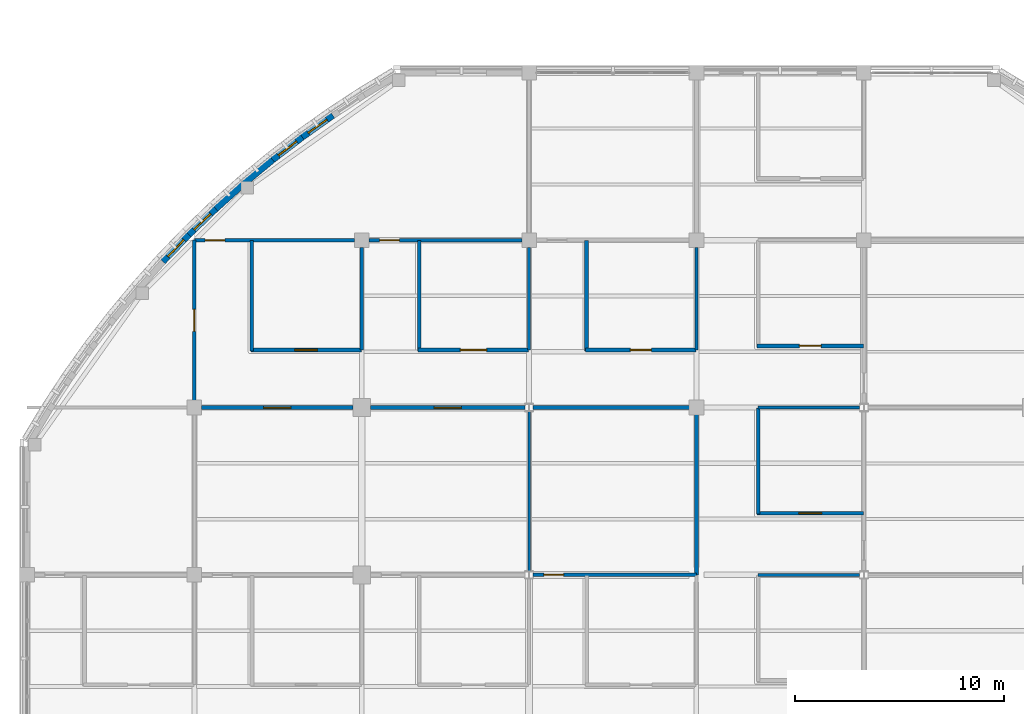
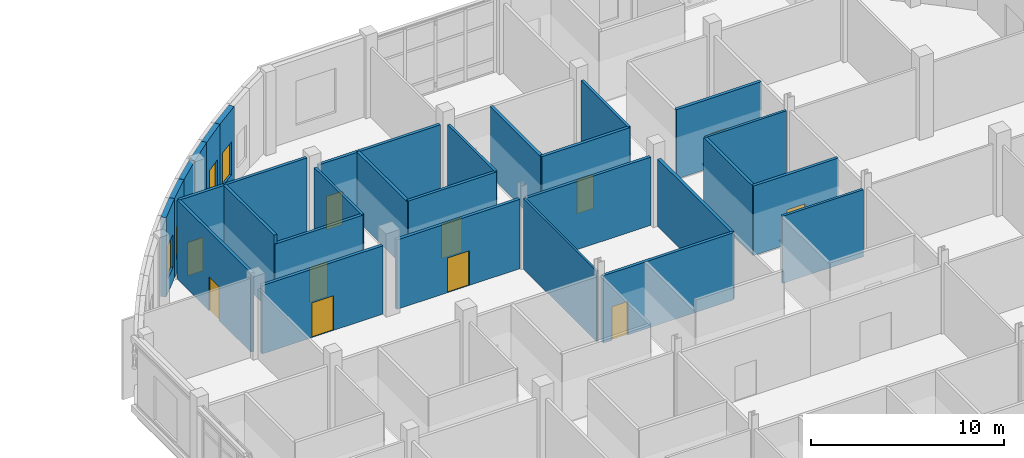
# One storey, part 72 of 105: 29 walls, 11 doors, 4 windows, 15 openings.
"""IFC4 building model written with IfcOpenShell, lengths in metres."""

from ifc_helpers import new_model, si_unit, derived_unit, direction, frame, frame_2d, origin, place, context, subcontext, project, spatial, rectangle, extrude, material, layer, layer_set, type_object, element, fill, save


model = new_model("IFC4")

# Units and contexts
model_context = context("Model", 3, precision=1e-05, world=origin(), true_north=direction((0.0, 1.0)))
body_context = subcontext(model_context, "Body", "Model", "MODEL_VIEW")
ifc_project = project(units=[si_unit("LENGTHUNIT", "METRE"), si_unit("AREAUNIT", "SQUARE_METRE"), si_unit("VOLUMEUNIT", "CUBIC_METRE"), si_unit("PLANEANGLEUNIT", "RADIAN"), si_unit("MASSUNIT", "GRAM", prefix="KILO"), derived_unit("THERMALTRANSMITTANCEUNIT", [(si_unit("MASSUNIT", "GRAM", prefix="KILO"), 1), (si_unit("TIMEUNIT", "SECOND"), -3), (si_unit("THERMODYNAMICTEMPERATUREUNIT", "KELVIN"), -1)])], contexts=[model_context])

# Site, building, storey
site_placement = place(None, origin())
site = spatial("IfcSite", under=ifc_project, at=site_placement, CompositionType="ELEMENT")
building_placement = place(site_placement, origin())
building = spatial("IfcBuilding", under=site, at=building_placement, Name="Veyamyaing Civic Hall", CompositionType="ELEMENT")
storey_placement = place(building_placement, origin())
storey = spatial("IfcBuildingStorey", under=building, at=storey_placement, Name="L00", CompositionType="ELEMENT", Elevation=0.0)

# Wall, opening, window
ifc_material_1 = material(Name="Precast concrete C40/50", Category="concrete")
ifc_layer_1 = layer(ifc_material_1, 0.304931640625, Name="Precast concrete C40/50")
ifc_layer_set_1 = layer_set([ifc_layer_1], Name="Precast concrete C40/50")
wall_type_1 = type_object("IfcWallType", Name="WT-03", PredefinedType="SOLIDWALL", material=ifc_layer_set_1)
wall_1_placement = place(storey_placement, frame((70.61962890625, 93.9638671875, 0.0), z_axis=(0.0, 0.0, 1.0), x_axis=(-0.815567185578, -0.578662393636, 0.0)))
wall_1 = element("IfcWall", 1, at=wall_1_placement, inside=storey, type_object=wall_type_1, Name="Curved corner facade wall WT-03 L00 NW.3", PredefinedType="SOLIDWALL", context=body_context, shape_type="SweptSolid", body=[
    extrude(rectangle(XDim=1.795166015625, YDim=0.304931640625, at=frame_2d((0.8974609375, 0.0))), origin(), (0.0, 0.0, 1.0), 5.034912109375),
])
opening_1_placement = place(wall_1_placement, frame((0.34765625, 0.0, 0.89990234375)))
opening_1 = element("IfcOpeningElement", 2, at=opening_1_placement, cuts=wall_1, Name="Opening W-15", PredefinedType="OPENING", context=body_context, shape_type="SweptSolid", body=[
    extrude(rectangle(XDim=1.10009765625, YDim=2.10009765625, at=frame_2d((0.550048828125, 1.050048828125))), frame((0.0, 0.162353515625, 0.0), z_axis=(0.0, -1.0, 0.0), x_axis=(1.0, 0.0, 0.0)), (0.0, 0.0, 1.0), 0.324951171875),
])
ifc_material_2 = material(Name="Low-E insulated glass", Category="glass")
window_type = type_object("IfcWindowType", Name="W-15", PartitioningType="SINGLE_PANEL", PredefinedType="WINDOW", material=ifc_material_2)
window_1_placement = place(opening_1_placement, origin())
window_1 = element("IfcWindow", 3, at=window_1_placement, inside=storey, type_object=window_type, Name="Curved ribbon window W-15 L00 NW.3", OverallHeight=2.10009765625, OverallWidth=1.10009765625, PartitioningType="SINGLE_PANEL", PredefinedType="WINDOW", context=body_context, shape_type="SweptSolid", body=[
    extrude(rectangle(XDim=1.10009765625, YDim=2.10009765625, at=frame_2d((0.550048828125, 1.050048828125))), frame((0.0, 0.030029296875, 0.0), z_axis=(0.0, -1.0, 0.0), x_axis=(1.0, 0.0, 0.0)), (0.0, 0.0, 1.0), 0.06005859375),
])
fill(opening_1, window_1)

wall_2_placement = place(storey_placement, frame((69.16015625, 92.928466796875, 0.0), z_axis=(0.0, 0.0, 1.0), x_axis=(-0.793341406114, -0.608776981616, 0.0)))
wall_2 = element("IfcWall", 4, at=wall_2_placement, inside=storey, type_object=wall_type_1, Name="Curved corner facade wall WT-03 L00 NW.4", PredefinedType="SOLIDWALL", context=body_context, shape_type="SweptSolid", body=[
    extrude(rectangle(XDim=1.794921875, YDim=0.304931640625, at=frame_2d((0.8974609375, 0.0))), origin(), (0.0, 0.0, 1.0), 5.034912109375),
])
opening_2_placement = place(wall_2_placement, frame((0.347412109375, 0.0, 0.89990234375)))
opening_2 = element("IfcOpeningElement", 5, at=opening_2_placement, cuts=wall_2, Name="Opening W-15", PredefinedType="OPENING", context=body_context, shape_type="SweptSolid", body=[
    extrude(rectangle(XDim=1.10009765625, YDim=2.10009765625, at=frame_2d((0.550048828125, 1.050048828125))), frame((0.0, 0.162353515625, 0.0), z_axis=(0.0, -1.0, 0.0), x_axis=(1.0, 0.0, 0.0)), (0.0, 0.0, 1.0), 0.324951171875),
])
window_2_placement = place(opening_2_placement, origin())
window_2 = element("IfcWindow", 6, at=window_2_placement, inside=storey, type_object=window_type, Name="Curved ribbon window W-15 L00 NW.4", OverallHeight=2.10009765625, OverallWidth=1.10009765625, PartitioningType="SINGLE_PANEL", PredefinedType="WINDOW", context=body_context, shape_type="SweptSolid", body=[
    extrude(rectangle(XDim=1.10009765625, YDim=2.10009765625, at=frame_2d((0.550048828125, 1.050048828125))), frame((0.0, 0.030029296875, 0.0), z_axis=(0.0, -1.0, 0.0), x_axis=(1.0, 0.0, 0.0)), (0.0, 0.0, 1.0), 0.06005859375),
])
fill(opening_2, window_2)

# Walls
wall_3_placement = place(storey_placement, frame((67.740478515625, 91.83935546875, 0.0), z_axis=(0.0, 0.0, 1.0), x_axis=(-0.769991012207, -0.638054732073, 0.0)))
element("IfcWall", 7, at=wall_3_placement, inside=storey, type_object=wall_type_1, Name="Curved corner facade wall WT-03 L00 NW.5", PredefinedType="SOLIDWALL", context=body_context, shape_type="SweptSolid", body=[
    extrude(rectangle(XDim=1.794921875, YDim=0.304931640625, at=frame_2d((0.8974609375, 0.0))), origin(), (0.0, 0.0, 1.0), 5.034912109375),
])
wall_4_placement = place(storey_placement, frame((66.36279296875, 90.69775390625, 0.0), z_axis=(0.0, 0.0, 1.0), x_axis=(-0.745703543965, -0.666277888361, 0.0)))
element("IfcWall", 8, at=wall_4_placement, inside=storey, type_object=wall_type_1, Name="Curved corner facade wall WT-03 L00 NW.6", PredefinedType="SOLIDWALL", context=body_context, shape_type="SweptSolid", body=[
    extrude(rectangle(XDim=1.795166015625, YDim=0.304931640625, at=frame_2d((0.8974609375, 0.0))), origin(), (0.0, 0.0, 1.0), 5.034912109375),
])

# Wall, opening, window
wall_5_placement = place(storey_placement, frame((65.028564453125, 89.505615234375, 0.0), z_axis=(0.0, 0.0, 1.0), x_axis=(-0.720242191926, -0.693722700342, 0.0)))
wall_5 = element("IfcWall", 9, at=wall_5_placement, inside=storey, type_object=wall_type_1, Name="Curved corner facade wall WT-03 L00 NW.7", PredefinedType="SOLIDWALL", context=body_context, shape_type="SweptSolid", body=[
    extrude(rectangle(XDim=1.795166015625, YDim=0.304931640625, at=frame_2d((0.8974609375, 0.0))), origin(), (0.0, 0.0, 1.0), 5.034912109375),
])
opening_3_placement = place(wall_5_placement, frame((0.347412109375, 0.0, 0.89990234375)))
opening_3 = element("IfcOpeningElement", 10, at=opening_3_placement, cuts=wall_5, Name="Opening W-15", PredefinedType="OPENING", context=body_context, shape_type="SweptSolid", body=[
    extrude(rectangle(XDim=1.10009765625, YDim=2.10009765625, at=frame_2d((0.550048828125, 1.050048828125))), frame((0.0, 0.162353515625, 0.0), z_axis=(0.0, -1.0, 0.0), x_axis=(1.0, 0.0, 0.0)), (0.0, 0.0, 1.0), 0.324951171875),
])
window_3_placement = place(opening_3_placement, origin())
window_3 = element("IfcWindow", 11, at=window_3_placement, inside=storey, type_object=window_type, Name="Curved ribbon window W-15 L00 NW.7", OverallHeight=2.10009765625, OverallWidth=1.10009765625, PartitioningType="SINGLE_PANEL", PredefinedType="WINDOW", context=body_context, shape_type="SweptSolid", body=[
    extrude(rectangle(XDim=1.10009765625, YDim=2.10009765625, at=frame_2d((0.550048828125, 1.050048828125))), frame((0.0, 0.030029296875, 0.0), z_axis=(0.0, -1.0, 0.0), x_axis=(1.0, 0.0, 0.0)), (0.0, 0.0, 1.0), 0.06005859375),
])
fill(opening_3, window_3)

wall_6_placement = place(storey_placement, frame((63.73974609375, 88.264404296875, 0.0), z_axis=(0.0, 0.0, 1.0), x_axis=(-0.693722700342, -0.720242191926, 0.0)))
wall_6 = element("IfcWall", 12, at=wall_6_placement, inside=storey, type_object=wall_type_1, Name="Curved corner facade wall WT-03 L00 NW.8", PredefinedType="SOLIDWALL", context=body_context, shape_type="SweptSolid", body=[
    extrude(rectangle(XDim=1.795166015625, YDim=0.304931640625, at=frame_2d((0.8974609375, 0.0))), origin(), (0.0, 0.0, 1.0), 5.034912109375),
])
opening_4_placement = place(wall_6_placement, frame((0.347412109375, 0.0, 0.89990234375)))
opening_4 = element("IfcOpeningElement", 13, at=opening_4_placement, cuts=wall_6, Name="Opening W-15", PredefinedType="OPENING", context=body_context, shape_type="SweptSolid", body=[
    extrude(rectangle(XDim=1.10009765625, YDim=2.10009765625, at=frame_2d((0.550048828125, 1.050048828125))), frame((0.0, 0.162353515625, 0.0), z_axis=(0.0, -1.0, 0.0), x_axis=(1.0, 0.0, 0.0)), (0.0, 0.0, 1.0), 0.324951171875),
])
window_4_placement = place(opening_4_placement, origin())
window_4 = element("IfcWindow", 14, at=window_4_placement, inside=storey, type_object=window_type, Name="Curved ribbon window W-15 L00 NW.8", OverallHeight=2.10009765625, OverallWidth=1.10009765625, PartitioningType="SINGLE_PANEL", PredefinedType="WINDOW", context=body_context, shape_type="SweptSolid", body=[
    extrude(rectangle(XDim=1.10009765625, YDim=2.10009765625, at=frame_2d((0.550048828125, 1.050048828125))), frame((0.0, 0.030029296875, 0.0), z_axis=(0.0, -1.0, 0.0), x_axis=(1.0, 0.0, 0.0)), (0.0, 0.0, 1.0), 0.06005859375),
])
fill(opening_4, window_4)

# Wall, opening, door
ifc_material_3 = material(Name="Gypsum board on acoustic steel stud", Category="steel")
ifc_layer_2 = layer(ifc_material_3, 0.175048828125, Name="Gypsum board on acoustic steel stud")
ifc_layer_set_2 = layer_set([ifc_layer_2], Name="Gypsum board on acoustic steel stud")
wall_type_2 = type_object("IfcWallType", Name="WT-07", PredefinedType="PARTITIONING", material=ifc_layer_set_2)
wall_7_placement = place(storey_placement, frame((66.699951171875, 82.75, 0.0), z_axis=(0.0, 0.0, 1.0), x_axis=(1.0, 0.0, 0.0)))
wall_7 = element("IfcWall", 15, at=wall_7_placement, inside=storey, type_object=wall_type_2, Name="Corridor gallery partition WT-07 L00.33.1", PredefinedType="PARTITIONING", context=body_context, shape_type="SweptSolid", body=[
    extrude(rectangle(XDim=5.280029296875, YDim=0.175048828125, at=frame_2d((2.64013671875, 0.0))), origin(), (0.0, 0.0, 1.0), 4.470947265625),
])
opening_5_placement = place(wall_7_placement, frame((2.10009765625, 0.0, 0.0)))
opening_5 = element("IfcOpeningElement", 16, at=opening_5_placement, cuts=wall_7, Name="Opening D-23", PredefinedType="OPENING", context=body_context, shape_type="SweptSolid", body=[
    extrude(rectangle(XDim=1.080078125, YDim=2.199951171875, at=frame_2d((0.5400390625, 1.10009765625))), frame((0.0, 0.097412109375, 0.0), z_axis=(0.0, -1.0, 0.0), x_axis=(1.0, 0.0, 0.0)), (0.0, 0.0, 1.0), 0.195068359375),
])
ifc_material_4 = material(Name="Teak-veneered acoustic timber", Category="wood")
door_type_1 = type_object("IfcDoorType", Name="D-23", OperationType="NOTDEFINED", PredefinedType="DOOR", material=ifc_material_4)
door_1_placement = place(opening_5_placement, origin())
door_1 = element("IfcDoor", 17, at=door_1_placement, inside=storey, type_object=door_type_1, Name="Gallery office door D-23 L00.33", OperationType="SINGLE_SWING_RIGHT", OverallHeight=2.199951171875, OverallWidth=1.080078125, PredefinedType="DOOR", context=body_context, shape_type="SweptSolid", body=[
    extrude(rectangle(XDim=1.080078125, YDim=2.199951171875, at=frame_2d((0.5400390625, 1.10009765625))), frame((0.0, 0.02490234375, 0.0), z_axis=(0.0, -1.0, 0.0), x_axis=(1.0, 0.0, 0.0)), (0.0, 0.0, 1.0), 0.050048828125),
])
fill(opening_5, door_1)

# Wall
wall_8_placement = place(storey_placement, frame((66.75, 82.699951171875, 0.0), z_axis=(0.0, 0.0, 1.0), x_axis=(0.0, 1.0, 0.0)))
element("IfcWall", 18, at=wall_8_placement, inside=storey, type_object=wall_type_2, Name="Corridor gallery partition WT-07 L00.33.2", PredefinedType="PARTITIONING", context=body_context, shape_type="SweptSolid", body=[
    extrude(rectangle(XDim=5.280029296875, YDim=0.175048828125, at=frame_2d((2.64013671875, 0.0))), origin(), (0.0, 0.0, 1.0), 5.02490234375),
])

# Wall, opening, door
wall_9_placement = place(storey_placement, frame((74.699951171875, 82.75, 0.0), z_axis=(0.0, 0.0, 1.0), x_axis=(1.0, 0.0, 0.0)))
wall_9 = element("IfcWall", 19, at=wall_9_placement, inside=storey, type_object=wall_type_2, Name="Corridor gallery partition WT-07 L00.37.1", PredefinedType="PARTITIONING", context=body_context, shape_type="SweptSolid", body=[
    extrude(rectangle(XDim=5.280029296875, YDim=0.175048828125, at=frame_2d((2.64013671875, 0.0))), origin(), (0.0, 0.0, 1.0), 4.403076171875),
])
opening_6_placement = place(wall_9_placement, frame((2.014892578125, 0.0, 0.0)))
opening_6 = element("IfcOpeningElement", 20, at=opening_6_placement, cuts=wall_9, Name="Opening D-29", PredefinedType="OPENING", context=body_context, shape_type="SweptSolid", body=[
    extrude(rectangle(XDim=1.25, YDim=2.179931640625, at=frame_2d((0.625, 1.08984375))), frame((0.0, 0.097412109375, 0.0), z_axis=(0.0, -1.0, 0.0), x_axis=(1.0, 0.0, 0.0)), (0.0, 0.0, 1.0), 0.195068359375),
])
door_type_2 = type_object("IfcDoorType", Name="D-29", OperationType="NOTDEFINED", PredefinedType="DOOR", material=ifc_material_4)
door_2_placement = place(opening_6_placement, origin())
door_2 = element("IfcDoor", 21, at=door_2_placement, inside=storey, type_object=door_type_2, Name="Gallery office door D-29 L00.37", OperationType="SINGLE_SWING_RIGHT", OverallHeight=2.179931640625, OverallWidth=1.25, PredefinedType="DOOR", context=body_context, shape_type="SweptSolid", body=[
    extrude(rectangle(XDim=1.25, YDim=2.179931640625, at=frame_2d((0.625, 1.08984375))), frame((0.0, 0.02490234375, 0.0), z_axis=(0.0, -1.0, 0.0), x_axis=(1.0, 0.0, 0.0)), (0.0, 0.0, 1.0), 0.050048828125),
])
fill(opening_6, door_2)

# Wall
wall_10_placement = place(storey_placement, frame((74.75, 82.699951171875, 0.0), z_axis=(0.0, 0.0, 1.0), x_axis=(0.0, 1.0, 0.0)))
element("IfcWall", 22, at=wall_10_placement, inside=storey, type_object=wall_type_2, Name="Corridor gallery partition WT-07 L00.37.2", PredefinedType="PARTITIONING", context=body_context, shape_type="SweptSolid", body=[
    extrude(rectangle(XDim=5.280029296875, YDim=0.175048828125, at=frame_2d((2.64013671875, 0.0))), origin(), (0.0, 0.0, 1.0), 4.326904296875),
])

# Wall, opening, door
wall_11_placement = place(storey_placement, frame((90.89990234375, 74.949951171875, 0.0), z_axis=(0.0, 0.0, 1.0), x_axis=(1.0, 0.0, 0.0)))
wall_11 = element("IfcWall", 23, at=wall_11_placement, inside=storey, type_object=wall_type_2, Name="Corridor gallery partition WT-07 L00.43.1", PredefinedType="PARTITIONING", context=body_context, shape_type="SweptSolid", body=[
    extrude(rectangle(XDim=5.080078125, YDim=0.175048828125, at=frame_2d((2.5400390625, 0.0))), origin(), (0.0, 0.0, 1.0), 4.412109375),
])
opening_7_placement = place(wall_11_placement, frame((2.0, 0.0, 0.0)))
opening_7 = element("IfcOpeningElement", 24, at=opening_7_placement, cuts=wall_11, Name="Opening D-23", PredefinedType="OPENING", context=body_context, shape_type="SweptSolid", body=[
    extrude(rectangle(XDim=1.080078125, YDim=2.199951171875, at=frame_2d((0.5400390625, 1.10009765625))), frame((0.0, 0.097412109375, 0.0), z_axis=(0.0, -1.0, 0.0), x_axis=(1.0, 0.0, 0.0)), (0.0, 0.0, 1.0), 0.195068359375),
])
door_3_placement = place(opening_7_placement, origin())
door_3 = element("IfcDoor", 25, at=door_3_placement, inside=storey, type_object=door_type_1, Name="Gallery office door D-23 L00.43", OperationType="SINGLE_SWING_RIGHT", OverallHeight=2.199951171875, OverallWidth=1.080078125, PredefinedType="DOOR", context=body_context, shape_type="SweptSolid", body=[
    extrude(rectangle(XDim=1.080078125, YDim=2.199951171875, at=frame_2d((0.5400390625, 1.10009765625))), frame((0.0, 0.02490234375, 0.0), z_axis=(0.0, -1.0, 0.0), x_axis=(1.0, 0.0, 0.0)), (0.0, 0.0, 1.0), 0.050048828125),
])
fill(opening_7, door_3)

# Wall
wall_12_placement = place(storey_placement, frame((90.949951171875, 74.89990234375, 0.0), z_axis=(0.0, 0.0, 1.0), x_axis=(0.0, 1.0, 0.0)))
element("IfcWall", 26, at=wall_12_placement, inside=storey, type_object=wall_type_2, Name="Corridor gallery partition WT-07 L00.43.2", PredefinedType="PARTITIONING", context=body_context, shape_type="SweptSolid", body=[
    extrude(rectangle(XDim=5.080078125, YDim=0.175048828125, at=frame_2d((2.5400390625, 0.0))), origin(), (0.0, 0.0, 1.0), 4.403076171875),
])

# Wall, opening, door
wall_13_placement = place(storey_placement, frame((64.0, 80.340087890625, 0.0), z_axis=(0.0, 0.0, 1.0), x_axis=(0.0, 1.0, 0.0)))
wall_13 = element("IfcWall", 27, at=wall_13_placement, inside=storey, type_object=wall_type_2, Name="Interior partition wall WT-07 L00.49", PredefinedType="PARTITIONING", context=body_context, shape_type="SweptSolid", body=[
    extrude(rectangle(XDim=7.659912109375, YDim=0.175048828125, at=frame_2d((3.830078125, 0.0))), origin(), (0.0, 0.0, 1.0), 5.02490234375),
])
opening_8_placement = place(wall_13_placement, frame((3.304931640625, 0.0, 0.0)))
opening_8 = element("IfcOpeningElement", 28, at=opening_8_placement, cuts=wall_13, Name="Opening D-12", PredefinedType="OPENING", context=body_context, shape_type="SweptSolid", body=[
    extrude(rectangle(XDim=1.050048828125, YDim=2.14990234375, at=frame_2d((0.52490234375, 1.074951171875))), frame((0.0, 0.097412109375, 0.0), z_axis=(0.0, -1.0, 0.0), x_axis=(1.0, 0.0, 0.0)), (0.0, 0.0, 1.0), 0.195068359375),
])
door_type_3 = type_object("IfcDoorType", Name="D-12", OperationType="NOTDEFINED", PredefinedType="DOOR", material=ifc_material_4)
door_4_placement = place(opening_8_placement, origin())
door_4 = element("IfcDoor", 29, at=door_4_placement, inside=storey, type_object=door_type_3, Name="Interior door D-12 L00.49", OperationType="SINGLE_SWING_LEFT", OverallHeight=2.14990234375, OverallWidth=1.050048828125, PredefinedType="DOOR", context=body_context, shape_type="SweptSolid", body=[
    extrude(rectangle(XDim=1.050048828125, YDim=2.14990234375, at=frame_2d((0.52490234375, 1.074951171875))), frame((0.0, 0.02490234375, 0.0), z_axis=(0.0, -1.0, 0.0), x_axis=(1.0, 0.0, 0.0)), (0.0, 0.0, 1.0), 0.050048828125),
])
fill(opening_8, door_4)

wall_14_placement = place(storey_placement, frame((64.0, 88.0, 0.0), z_axis=(0.0, 0.0, 1.0), x_axis=(1.0, 0.0, 0.0)))
wall_14 = element("IfcWall", 30, at=wall_14_placement, inside=storey, type_object=wall_type_2, Name="Interior partition wall WT-07 L00.57", PredefinedType="PARTITIONING", context=body_context, shape_type="SweptSolid", body=[
    extrude(rectangle(XDim=7.659912109375, YDim=0.175048828125, at=frame_2d((3.830078125, 0.0))), origin(), (0.0, 0.0, 1.0), 5.02490234375),
])
opening_9_placement = place(wall_14_placement, frame((0.52001953125, 0.0, 0.0)))
opening_9 = element("IfcOpeningElement", 31, at=opening_9_placement, cuts=wall_14, Name="Opening D-30", PredefinedType="OPENING", context=body_context, shape_type="SweptSolid", body=[
    extrude(rectangle(XDim=0.93994140625, YDim=2.1201171875, at=frame_2d((0.469970703125, 1.06005859375))), frame((0.0, 0.097412109375, 0.0), z_axis=(0.0, -1.0, 0.0), x_axis=(1.0, 0.0, 0.0)), (0.0, 0.0, 1.0), 0.195068359375),
])
door_type_4 = type_object("IfcDoorType", Name="D-30", OperationType="NOTDEFINED", PredefinedType="DOOR", material=ifc_material_4)
door_5_placement = place(opening_9_placement, origin())
door_5 = element("IfcDoor", 32, at=door_5_placement, inside=storey, type_object=door_type_4, Name="Interior door D-30 L00.57", OperationType="SINGLE_SWING_LEFT", OverallHeight=2.1201171875, OverallWidth=0.93994140625, PredefinedType="DOOR", context=body_context, shape_type="SweptSolid", body=[
    extrude(rectangle(XDim=0.93994140625, YDim=2.1201171875, at=frame_2d((0.469970703125, 1.06005859375))), frame((0.0, 0.02490234375, 0.0), z_axis=(0.0, -1.0, 0.0), x_axis=(1.0, 0.0, 0.0)), (0.0, 0.0, 1.0), 0.050048828125),
])
fill(opening_9, door_5)

wall_15_placement = place(storey_placement, frame((72.340087890625, 88.0, 0.0), z_axis=(0.0, 0.0, 1.0), x_axis=(1.0, 0.0, 0.0)))
wall_15 = element("IfcWall", 33, at=wall_15_placement, inside=storey, type_object=wall_type_2, Name="Interior partition wall WT-07 L00.71", PredefinedType="PARTITIONING", context=body_context, shape_type="SweptSolid", body=[
    extrude(rectangle(XDim=7.31982421875, YDim=0.175048828125, at=frame_2d((3.659912109375, 0.0))), origin(), (0.0, 0.0, 1.0), 4.326904296875),
])
opening_10_placement = place(wall_15_placement, frame((0.52001953125, 0.0, 0.0)))
opening_10 = element("IfcOpeningElement", 34, at=opening_10_placement, cuts=wall_15, Name="Opening D-30", PredefinedType="OPENING", context=body_context, shape_type="SweptSolid", body=[
    extrude(rectangle(XDim=0.93994140625, YDim=2.1201171875, at=frame_2d((0.469970703125, 1.06005859375))), frame((0.0, 0.097412109375, 0.0), z_axis=(0.0, -1.0, 0.0), x_axis=(1.0, 0.0, 0.0)), (0.0, 0.0, 1.0), 0.195068359375),
])
door_6_placement = place(opening_10_placement, origin())
door_6 = element("IfcDoor", 35, at=door_6_placement, inside=storey, type_object=door_type_4, Name="Interior door D-30 L00.71", OperationType="SINGLE_SWING_LEFT", OverallHeight=2.1201171875, OverallWidth=0.93994140625, PredefinedType="DOOR", context=body_context, shape_type="SweptSolid", body=[
    extrude(rectangle(XDim=0.93994140625, YDim=2.1201171875, at=frame_2d((0.469970703125, 1.06005859375))), frame((0.0, 0.02490234375, 0.0), z_axis=(0.0, -1.0, 0.0), x_axis=(1.0, 0.0, 0.0)), (0.0, 0.0, 1.0), 0.050048828125),
])
fill(opening_10, door_6)

wall_16_placement = place(storey_placement, frame((80.18896484375, 72.0, 0.0), z_axis=(0.0, 0.0, 1.0), x_axis=(1.0, 0.0, 0.0)))
wall_16 = element("IfcWall", 36, at=wall_16_placement, inside=storey, type_object=wall_type_2, Name="Interior partition wall WT-07 L00.77", PredefinedType="PARTITIONING", context=body_context, shape_type="SweptSolid", body=[
    extrude(rectangle(XDim=7.81103515625, YDim=0.175048828125, at=frame_2d((3.905517578125, 0.0))), origin(), (0.0, 0.0, 1.0), 4.261962890625),
])
opening_11_placement = place(wall_16_placement, frame((0.52001953125, 0.0, 0.0)))
opening_11 = element("IfcOpeningElement", 37, at=opening_11_placement, cuts=wall_16, Name="Opening D-30", PredefinedType="OPENING", context=body_context, shape_type="SweptSolid", body=[
    extrude(rectangle(XDim=0.93994140625, YDim=2.1201171875, at=frame_2d((0.469970703125, 1.06005859375))), frame((0.0, 0.097412109375, 0.0), z_axis=(0.0, -1.0, 0.0), x_axis=(1.0, 0.0, 0.0)), (0.0, 0.0, 1.0), 0.195068359375),
])
door_7_placement = place(opening_11_placement, origin())
door_7 = element("IfcDoor", 38, at=door_7_placement, inside=storey, type_object=door_type_4, Name="Interior door D-30 L00.77", OperationType="SINGLE_SWING_LEFT", OverallHeight=2.1201171875, OverallWidth=0.93994140625, PredefinedType="DOOR", context=body_context, shape_type="SweptSolid", body=[
    extrude(rectangle(XDim=0.93994140625, YDim=2.1201171875, at=frame_2d((0.469970703125, 1.06005859375))), frame((0.0, 0.02490234375, 0.0), z_axis=(0.0, -1.0, 0.0), x_axis=(1.0, 0.0, 0.0)), (0.0, 0.0, 1.0), 0.050048828125),
])
fill(opening_11, door_7)

# Walls
wall_17_placement = place(storey_placement, frame((80.18896484375, 80.0, 0.0), z_axis=(0.0, 0.0, 1.0), x_axis=(1.0, 0.0, 0.0)))
element("IfcWall", 39, at=wall_17_placement, inside=storey, type_object=wall_type_2, Name="Interior partition wall WT-07 L00.79", PredefinedType="PARTITIONING", context=body_context, shape_type="SweptSolid", body=[
    extrude(rectangle(XDim=7.470947265625, YDim=0.175048828125, at=frame_2d((3.7353515625, 0.0))), origin(), (0.0, 0.0, 1.0), 4.326904296875),
])
ifc_material_5 = material(Name="Gypsum board on steel stud", Category="steel")
ifc_layer_3 = layer(ifc_material_5, 0.14990234375, Name="Gypsum board on steel stud")
ifc_layer_set_3 = layer_set([ifc_layer_3], Name="Gypsum board on steel stud")
wall_type_3 = type_object("IfcWallType", Name="WT-08", PredefinedType="PARTITIONING", material=ifc_layer_set_3)
wall_18_placement = place(storey_placement, frame((72.0, 82.75, 0.0), z_axis=(0.0, 0.0, 1.0), x_axis=(0.0, 1.0, 0.0)))
element("IfcWall", 40, at=wall_18_placement, inside=storey, type_object=wall_type_3, Name="Gallery office end partition WT-08 L00.33.2", PredefinedType="PARTITIONING", context=body_context, shape_type="SweptSolid", body=[
    extrude(rectangle(XDim=4.889892578125, YDim=0.14990234375, at=frame_2d((2.44482421875, 0.0))), origin(), (0.0, 0.0, 1.0), 4.470947265625),
])
wall_19_placement = place(storey_placement, frame((80.0, 82.75, 0.0), z_axis=(0.0, 0.0, 1.0), x_axis=(0.0, 1.0, 0.0)))
element("IfcWall", 41, at=wall_19_placement, inside=storey, type_object=wall_type_3, Name="Gallery office end partition WT-08 L00.37.2", PredefinedType="PARTITIONING", context=body_context, shape_type="SweptSolid", body=[
    extrude(rectangle(XDim=4.889892578125, YDim=0.14990234375, at=frame_2d((2.44482421875, 0.0))), origin(), (0.0, 0.0, 1.0), 4.403076171875),
])
wall_20_placement = place(storey_placement, frame((88.0, 82.75, 0.0), z_axis=(0.0, 0.0, 1.0), x_axis=(0.0, 1.0, 0.0)))
element("IfcWall", 42, at=wall_20_placement, inside=storey, type_object=wall_type_3, Name="Gallery office end partition WT-08 L00.40.2", PredefinedType="PARTITIONING", context=body_context, shape_type="SweptSolid", body=[
    extrude(rectangle(XDim=4.889892578125, YDim=0.14990234375, at=frame_2d((2.44482421875, 0.0))), origin(), (0.0, 0.0, 1.0), 4.412109375),
])
wall_21_placement = place(storey_placement, frame((90.949951171875, 72.0, 0.0), z_axis=(0.0, 0.0, 1.0), x_axis=(1.0, 0.0, 0.0)))
element("IfcWall", 43, at=wall_21_placement, inside=storey, type_object=wall_type_3, Name="Gallery office end partition WT-08 L00.42.1", PredefinedType="PARTITIONING", context=body_context, shape_type="SweptSolid", body=[
    extrude(rectangle(XDim=4.841064453125, YDim=0.14990234375, at=frame_2d((2.42041015625, 0.0))), origin(), (0.0, 0.0, 1.0), 4.261962890625),
])
wall_22_placement = place(storey_placement, frame((90.949951171875, 80.0, 0.0), z_axis=(0.0, 0.0, 1.0), x_axis=(1.0, 0.0, 0.0)))
element("IfcWall", 44, at=wall_22_placement, inside=storey, type_object=wall_type_3, Name="Gallery office end partition WT-08 L00.43.1", PredefinedType="PARTITIONING", context=body_context, shape_type="SweptSolid", body=[
    extrude(rectangle(XDim=4.841064453125, YDim=0.14990234375, at=frame_2d((2.42041015625, 0.0))), origin(), (0.0, 0.0, 1.0), 4.403076171875),
])
ifc_layer_4 = layer(ifc_material_5, 0.1201171875, Name="Gypsum board on steel stud")
ifc_layer_set_4 = layer_set([ifc_layer_4], Name="Gypsum board on steel stud")
wall_type_4 = type_object("IfcWallType", Name="WT-16", PredefinedType="PARTITIONING", material=ifc_layer_set_4)
wall_23_placement = place(storey_placement, frame((80.0, 72.18359375, 0.0), z_axis=(0.0, 0.0, 1.0), x_axis=(0.0, 1.0, 0.0)))
element("IfcWall", 45, at=wall_23_placement, inside=storey, type_object=wall_type_4, Name="Interior partition wall WT-16 L00.69", PredefinedType="PARTITIONING", context=body_context, shape_type="SweptSolid", body=[
    extrude(rectangle(XDim=7.6328125, YDim=0.1201171875, at=frame_2d((3.81640625, 0.0))), origin(), (0.0, 0.0, 1.0), 4.470947265625),
])

# Wall, opening, door
ifc_material_6 = material(Name="Gypsum board on double acoustic stud")
ifc_layer_5 = layer(ifc_material_6, 0.18505859375, Name="Gypsum board on double acoustic stud")
ifc_layer_set_5 = layer_set([ifc_layer_5], Name="Gypsum board on double acoustic stud")
wall_type_5 = type_object("IfcWallType", Name="WT-19", PredefinedType="PARTITIONING", material=ifc_layer_set_5)
wall_24_placement = place(storey_placement, frame((82.699951171875, 82.75, 0.0), z_axis=(0.0, 0.0, 1.0), x_axis=(1.0, 0.0, 0.0)))
wall_24 = element("IfcWall", 46, at=wall_24_placement, inside=storey, type_object=wall_type_5, Name="Corridor gallery partition WT-19 L00.40.1", PredefinedType="PARTITIONING", context=body_context, shape_type="SweptSolid", body=[
    extrude(rectangle(XDim=5.280029296875, YDim=0.18505859375, at=frame_2d((2.64013671875, 0.0))), origin(), (0.0, 0.0, 1.0), 4.412109375),
])
opening_12_placement = place(wall_24_placement, frame((2.139892578125, 0.0, 0.0)))
opening_12 = element("IfcOpeningElement", 47, at=opening_12_placement, cuts=wall_24, Name="Opening D-13", PredefinedType="OPENING", context=body_context, shape_type="SweptSolid", body=[
    extrude(rectangle(XDim=1.0, YDim=2.14990234375, at=frame_2d((0.5, 1.074951171875))), frame((0.0, 0.1025390625, 0.0), z_axis=(0.0, -1.0, 0.0), x_axis=(1.0, 0.0, 0.0)), (0.0, 0.0, 1.0), 0.205078125),
])
door_type_5 = type_object("IfcDoorType", Name="D-13", OperationType="NOTDEFINED", PredefinedType="DOOR", material=ifc_material_4)
door_8_placement = place(opening_12_placement, origin())
door_8 = element("IfcDoor", 48, at=door_8_placement, inside=storey, type_object=door_type_5, Name="Gallery office door D-13 L00.40", OperationType="SINGLE_SWING_LEFT", OverallHeight=2.14990234375, OverallWidth=1.0, PredefinedType="DOOR", context=body_context, shape_type="SweptSolid", body=[
    extrude(rectangle(XDim=1.0, YDim=2.14990234375, at=frame_2d((0.5, 1.074951171875))), frame((0.0, 0.02490234375, 0.0), z_axis=(0.0, -1.0, 0.0), x_axis=(1.0, 0.0, 0.0)), (0.0, 0.0, 1.0), 0.050048828125),
])
fill(opening_12, door_8)

# Wall
wall_25_placement = place(storey_placement, frame((82.75, 82.699951171875, 0.0), z_axis=(0.0, 0.0, 1.0), x_axis=(0.0, 1.0, 0.0)))
element("IfcWall", 49, at=wall_25_placement, inside=storey, type_object=wall_type_5, Name="Corridor gallery partition WT-19 L00.40.2", PredefinedType="PARTITIONING", context=body_context, shape_type="SweptSolid", body=[
    extrude(rectangle(XDim=5.280029296875, YDim=0.18505859375, at=frame_2d((2.64013671875, 0.0))), origin(), (0.0, 0.0, 1.0), 4.403076171875),
])

# Wall, opening, door
wall_26_placement = place(storey_placement, frame((90.89990234375, 82.949951171875, 0.0), z_axis=(0.0, 0.0, 1.0), x_axis=(1.0, 0.0, 0.0)))
wall_26 = element("IfcWall", 50, at=wall_26_placement, inside=storey, type_object=wall_type_5, Name="Corridor gallery partition WT-19 L00.44.1", PredefinedType="PARTITIONING", context=body_context, shape_type="SweptSolid", body=[
    extrude(rectangle(XDim=5.080078125, YDim=0.18505859375, at=frame_2d((2.5400390625, 0.0))), origin(), (0.0, 0.0, 1.0), 4.404052734375),
])
opening_13_placement = place(wall_26_placement, frame((2.02001953125, 0.0, 0.0)))
opening_13 = element("IfcOpeningElement", 51, at=opening_13_placement, cuts=wall_26, Name="Opening D-24", PredefinedType="OPENING", context=body_context, shape_type="SweptSolid", body=[
    extrude(rectangle(XDim=1.0400390625, YDim=2.179931640625, at=frame_2d((0.52001953125, 1.08984375))), frame((0.0, 0.1025390625, 0.0), z_axis=(0.0, -1.0, 0.0), x_axis=(1.0, 0.0, 0.0)), (0.0, 0.0, 1.0), 0.205078125),
])
door_type_6 = type_object("IfcDoorType", Name="D-24", OperationType="NOTDEFINED", PredefinedType="DOOR", material=ifc_material_4)
door_9_placement = place(opening_13_placement, origin())
door_9 = element("IfcDoor", 52, at=door_9_placement, inside=storey, type_object=door_type_6, Name="Gallery office door D-24 L00.44", OperationType="SINGLE_SWING_LEFT", OverallHeight=2.179931640625, OverallWidth=1.0400390625, PredefinedType="DOOR", context=body_context, shape_type="SweptSolid", body=[
    extrude(rectangle(XDim=1.0400390625, YDim=2.179931640625, at=frame_2d((0.52001953125, 1.08984375))), frame((0.0, 0.02490234375, 0.0), z_axis=(0.0, -1.0, 0.0), x_axis=(1.0, 0.0, 0.0)), (0.0, 0.0, 1.0), 0.050048828125),
])
fill(opening_13, door_9)

wall_27_placement = place(storey_placement, frame((64.340087890625, 80.0, 0.0), z_axis=(0.0, 0.0, 1.0), x_axis=(1.0, 0.0, 0.0)))
wall_27 = element("IfcWall", 53, at=wall_27_placement, inside=storey, type_object=wall_type_5, Name="Interior partition wall WT-19 L00.56", PredefinedType="PARTITIONING", context=body_context, shape_type="SweptSolid", body=[
    extrude(rectangle(XDim=7.244873046875, YDim=0.18505859375, at=frame_2d((3.62255859375, 0.0))), origin(), (0.0, 0.0, 1.0), 4.3359375),
])
opening_14_placement = place(wall_27_placement, frame((2.972412109375, 0.0, 0.0)))
opening_14 = element("IfcOpeningElement", 54, at=opening_14_placement, cuts=wall_27, Name="Opening D-18", PredefinedType="OPENING", context=body_context, shape_type="SweptSolid", body=[
    extrude(rectangle(XDim=1.300048828125, YDim=2.199951171875, at=frame_2d((0.64990234375, 1.10009765625))), frame((0.0, 0.1025390625, 0.0), z_axis=(0.0, -1.0, 0.0), x_axis=(1.0, 0.0, 0.0)), (0.0, 0.0, 1.0), 0.205078125),
])
ifc_material_7 = material(Name="Anodised aluminium 6063-T6", Category="aluminium")
door_type_7 = type_object("IfcDoorType", Name="D-18", OperationType="DOUBLE_DOOR_SINGLE_SWING", PredefinedType="DOOR", material=ifc_material_7)
door_10_placement = place(opening_14_placement, frame((1.300048828125, 0.0, 0.0), z_axis=(0.0, 0.0, 1.0), x_axis=(-1.0, 0.0, 0.0)))
door_10 = element("IfcDoor", 55, at=door_10_placement, inside=storey, type_object=door_type_7, Name="Interior door D-18 L00.56", OperationType="DOUBLE_DOOR_SINGLE_SWING", OverallHeight=2.199951171875, OverallWidth=1.300048828125, PredefinedType="DOOR", context=body_context, shape_type="SweptSolid", body=[
    extrude(rectangle(XDim=1.300048828125, YDim=2.199951171875, at=frame_2d((0.64990234375, 1.10009765625))), frame((0.0, 0.02490234375, 0.0), z_axis=(0.0, -1.0, 0.0), x_axis=(1.0, 0.0, 0.0)), (0.0, 0.0, 1.0), 0.050048828125),
])
fill(opening_14, door_10)

wall_28_placement = place(storey_placement, frame((72.4150390625, 80.0, 0.0), z_axis=(0.0, 0.0, 1.0), x_axis=(1.0, 0.0, 0.0)))
wall_28 = element("IfcWall", 56, at=wall_28_placement, inside=storey, type_object=wall_type_5, Name="Interior partition wall WT-19 L00.70", PredefinedType="PARTITIONING", context=body_context, shape_type="SweptSolid", body=[
    extrude(rectangle(XDim=7.39599609375, YDim=0.18505859375, at=frame_2d((3.697998046875, 0.0))), origin(), (0.0, 0.0, 1.0), 4.404052734375),
])
opening_15_placement = place(wall_28_placement, frame((3.048095703125, 0.0, 0.0)))
opening_15 = element("IfcOpeningElement", 57, at=opening_15_placement, cuts=wall_28, Name="Opening D-18", PredefinedType="OPENING", context=body_context, shape_type="SweptSolid", body=[
    extrude(rectangle(XDim=1.300048828125, YDim=2.199951171875, at=frame_2d((0.64990234375, 1.10009765625))), frame((0.0, 0.1025390625, 0.0), z_axis=(0.0, -1.0, 0.0), x_axis=(1.0, 0.0, 0.0)), (0.0, 0.0, 1.0), 0.205078125),
])
door_11_placement = place(opening_15_placement, frame((1.300048828125, 0.0, 0.0), z_axis=(0.0, 0.0, 1.0), x_axis=(-1.0, 0.0, 0.0)))
door_11 = element("IfcDoor", 58, at=door_11_placement, inside=storey, type_object=door_type_7, Name="Interior door D-18 L00.70", OperationType="DOUBLE_DOOR_SINGLE_SWING", OverallHeight=2.199951171875, OverallWidth=1.300048828125, PredefinedType="DOOR", context=body_context, shape_type="SweptSolid", body=[
    extrude(rectangle(XDim=1.300048828125, YDim=2.199951171875, at=frame_2d((0.64990234375, 1.10009765625))), frame((0.0, 0.02490234375, 0.0), z_axis=(0.0, -1.0, 0.0), x_axis=(1.0, 0.0, 0.0)), (0.0, 0.0, 1.0), 0.050048828125),
])
fill(opening_15, door_11)

# Wall
wall_29_placement = place(storey_placement, frame((88.0, 72.0, 0.0), z_axis=(0.0, 0.0, 1.0), x_axis=(0.0, 1.0, 0.0)))
element("IfcWall", 59, at=wall_29_placement, inside=storey, type_object=wall_type_5, Name="Interior partition wall WT-19 L00.78", PredefinedType="PARTITIONING", context=body_context, shape_type="SweptSolid", body=[
    extrude(rectangle(XDim=7.659912109375, YDim=0.18505859375, at=frame_2d((3.830078125, 0.0))), origin(), (0.0, 0.0, 1.0), 4.261962890625),
])

save(model, "model.ifc")
